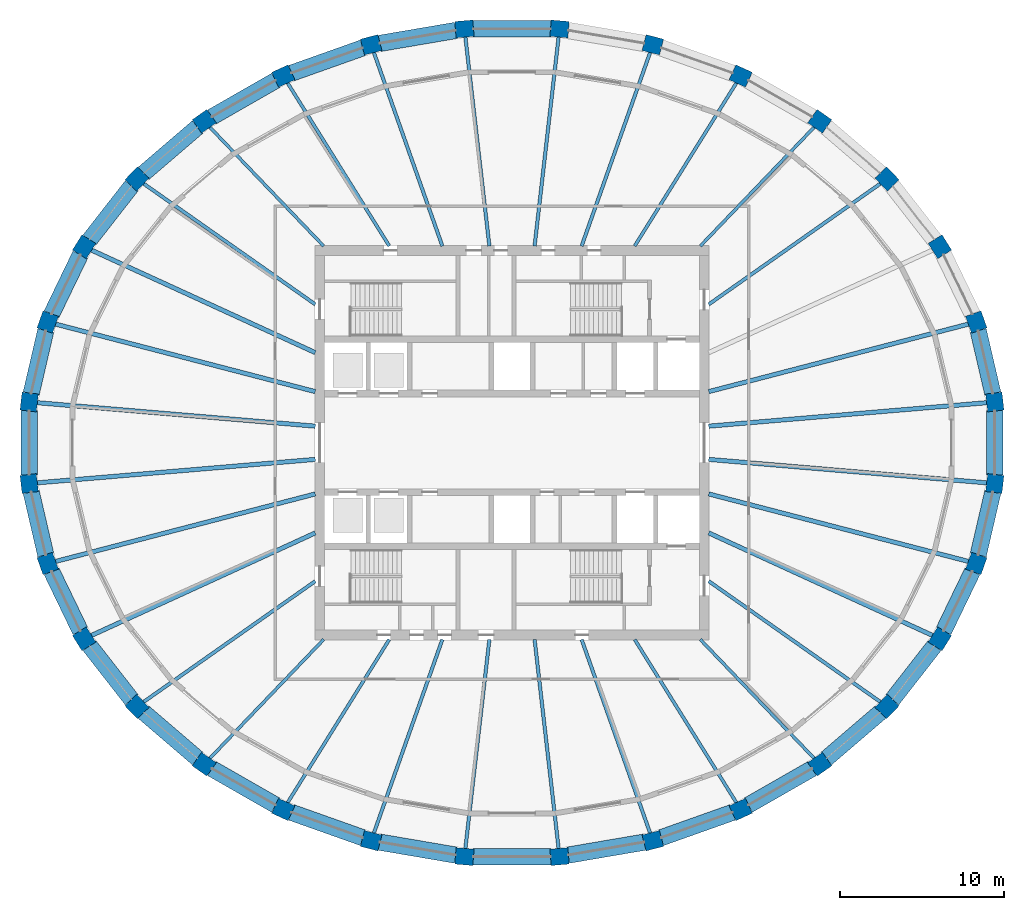
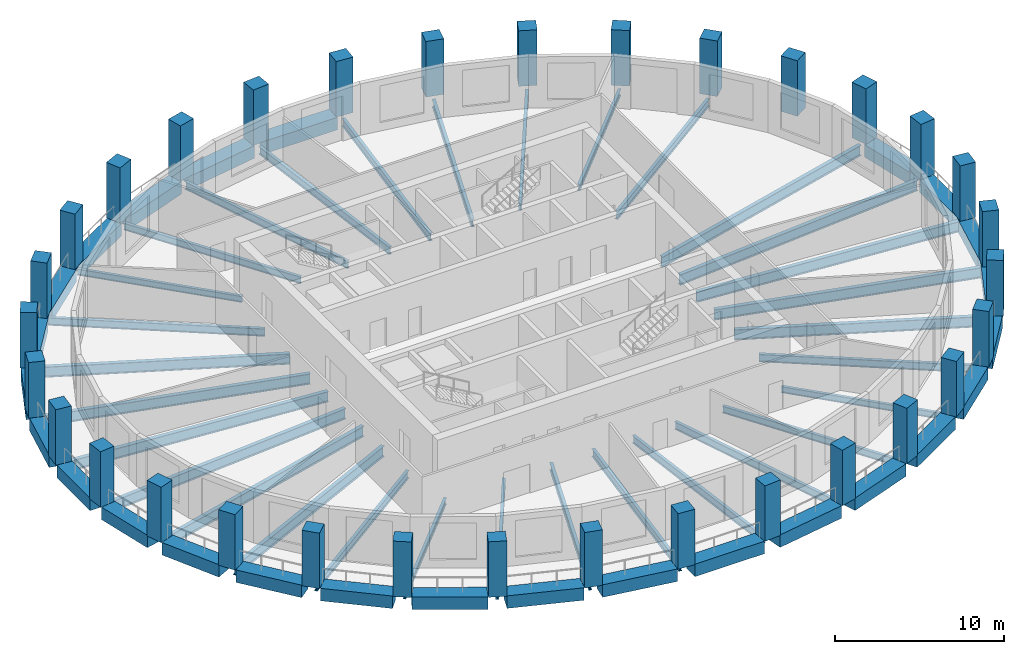
# One storey, part 1 of 10: 57 beams, 32 columns.
"""IFC4 building model written with IfcOpenShell, lengths in metres."""

import ifcopenshell
import ifcopenshell.guid

model = None  # the IFC model being written
_history = None  # IfcOwnerHistory: only IFC2X3 demands one
_inside = {}  # id of a spatial element -> (the spatial element, [elements in it])
_under = {}  # id of a project, library or spatial element -> (it, [spatial elements below it])
_declared = {}  # id of a project -> (the project, [libraries it declares])
_typed = {}  # id of a type object -> (the type object, [elements of that type])
_made_of = {}  # id of a material, layer set ... -> (it, [elements and type objects made of it])


def new_model(schema):
    """Start an empty IFC model of exactly this schema.

    Asked for "IFC4X3", IfcOpenShell would pick the latest addendum, in which some entities
    have other attributes; the version numbers below select the first issue.
    IFC2X3 requires an IfcOwnerHistory on every rooted entity: one is made here for all.
    """
    global model, _history
    if schema == "IFC4X3":
        model = ifcopenshell.file(schema_version=(4, 3, 0, 0))
    else:
        model = ifcopenshell.file(schema=schema)
    _inside.clear()
    _under.clear()
    _declared.clear()
    _typed.clear()
    _made_of.clear()
    _history = None
    if model.schema == "IFC2X3":
        org = make("IfcOrganization", Name="unknown")
        user = make(
            "IfcPersonAndOrganization",
            ThePerson=make("IfcPerson", FamilyName="unknown"),
            TheOrganization=org,
        )
        app = make(
            "IfcApplication",
            ApplicationDeveloper=org,
            Version="unknown",
            ApplicationFullName="unknown",
            ApplicationIdentifier="unknown",
        )
        _history = make(
            "IfcOwnerHistory",
            OwningUser=user,
            OwningApplication=app,
            ChangeAction="ADDED",
            CreationDate=0,
        )
    return model


def make(cls, **values):
    """One entity of the class cls with the attributes given. An attribute that is None is left unset."""
    return model.create_entity(
        cls, **{name: value for name, value in values.items() if value is not None}
    )


def rooted(cls, **values):
    """An entity with a GlobalId (a new one), such as an element, a storey or a relation."""
    return make(cls, GlobalId=ifcopenshell.guid.new(), OwnerHistory=_history, **values)


def si_unit(unit_type, name, prefix=None):
    """IfcSIUnit, for example si_unit("LENGTHUNIT", "METRE", prefix="MILLI")."""
    return make("IfcSIUnit", UnitType=unit_type, Prefix=prefix, Name=name)


def assignment(units):
    """IfcUnitAssignment: the units of a project."""
    return None if units is None else make("IfcUnitAssignment", Units=units)


def point(xyz):
    """IfcCartesianPoint."""
    return None if xyz is None else make("IfcCartesianPoint", Coordinates=xyz)


def direction(xyz):
    """IfcDirection."""
    return None if xyz is None else make("IfcDirection", DirectionRatios=xyz)


def frame(location, z_axis=None, x_axis=None):
    """IfcAxis2Placement3D, a coordinate frame: its origin and axes. An axis left out is left unset."""
    return make(
        "IfcAxis2Placement3D",
        Location=point(location),
        Axis=direction(z_axis),
        RefDirection=direction(x_axis),
    )


def frame_2d(location, x_axis=None):
    """IfcAxis2Placement2D, a coordinate frame in the plane: its origin and x axis."""
    return make(
        "IfcAxis2Placement2D", Location=point(location), RefDirection=direction(x_axis)
    )


def origin():
    """The frame at (0, 0, 0) with its axes left unset."""
    return frame((0.0, 0.0, 0.0))


def origin_2d():
    """The frame at (0, 0) in the plane with its x axis left unset."""
    return frame_2d((0.0, 0.0))


def place(relative_to, where):
    """IfcLocalPlacement: puts the frame where relative to a parent placement (None: the world)."""
    return make(
        "IfcLocalPlacement", PlacementRelTo=relative_to, RelativePlacement=where
    )


def context(
    kind, dimensions, precision=None, world=None, true_north=None, identifier=None
):
    """IfcGeometricRepresentationContext, for example the 3D "Model" context."""
    return make(
        "IfcGeometricRepresentationContext",
        ContextIdentifier=identifier,
        ContextType=kind,
        CoordinateSpaceDimension=dimensions,
        Precision=precision,
        WorldCoordinateSystem=world,
        TrueNorth=true_north,
    )


def subcontext(parent, identifier, kind, view, scale=None):
    """IfcGeometricRepresentationSubContext, for example "Body" below "Model"."""
    return make(
        "IfcGeometricRepresentationSubContext",
        ContextIdentifier=identifier,
        ContextType=kind,
        ParentContext=parent,
        TargetScale=scale,
        TargetView=view,
    )


def project(units=None, contexts=None):
    """IfcProject with its units and contexts."""
    return rooted(
        "IfcProject",
        Name="project",
        RepresentationContexts=contexts,
        UnitsInContext=assignment(units),
    )


def spatial(cls, under=None, at=None, **own):
    """A site, building, storey or space (cls), placed at a placement, below another one or the project."""
    s = rooted(cls, ObjectPlacement=at, **own)
    if under is not None:
        _under.setdefault(under.id(), (under, []))[1].append(s)
    return s


def profile(cls, at=None, kind="AREA", **sizes):
    """A parametric profile (cls). Its sizes go by their IFC names, for example OverallWidth=200.0."""
    return make(cls, ProfileType=kind, Position=at, **sizes)


def rectangle(**sizes):
    """IfcRectangleProfileDef."""
    return profile("IfcRectangleProfileDef", **sizes)


def i_section(**sizes):
    """IfcIShapeProfileDef."""
    return profile("IfcIShapeProfileDef", **sizes)


def extrude(swept, where, along, depth):
    """IfcExtrudedAreaSolid: the profile swept, set in the frame where, extruded along a direction by depth."""
    return make(
        "IfcExtrudedAreaSolid",
        SweptArea=swept,
        Position=where,
        ExtrudedDirection=direction(along),
        Depth=depth,
    )


def shape(context_of_items, identifier, shape_type, items):
    """IfcShapeRepresentation: the items that make up one representation, for example the "Body"."""
    return make(
        "IfcShapeRepresentation",
        ContextOfItems=context_of_items,
        RepresentationIdentifier=identifier,
        RepresentationType=shape_type,
        Items=items,
    )


def material(Name=None, Category=None):
    """IfcMaterial."""
    return make("IfcMaterial", Name=Name, Category=Category)


def material_profile(
    of_material, cross_section, Name=None, Category=None, Priority=None
):
    """IfcMaterialProfile: a cross section and its material."""
    return make(
        "IfcMaterialProfile",
        Name=Name,
        Material=of_material,
        Profile=cross_section,
        Priority=Priority,
        Category=Category,
    )


def profile_set(profiles, Name=None, composite=None):
    """IfcMaterialProfileSet."""
    return make(
        "IfcMaterialProfileSet",
        Name=Name,
        MaterialProfiles=profiles,
        CompositeProfile=composite,
    )


def made_of(thing, what):
    """Note that an element or type object is made of a material, layer set ...; save() writes the relation."""
    if what is not None:
        _made_of.setdefault(what.id(), (what, []))[1].append(thing)
    return thing


def type_object(cls, material=None, **own):
    """A type object (cls), such as IfcWallType, which elements share."""
    return made_of(rooted(cls, **own), material)


def element(
    cls,
    number,
    at=None,
    inside=None,
    cuts=None,
    type_object=None,
    material=None,
    context=None,
    identifier="Body",
    shape_type=None,
    held_by="IfcProductDefinitionShape",
    body=None,
    shapes=None,
    **own,
):
    """One element of the class cls, such as IfcWall. Its Tag is "e" and its number.

    at: its placement. inside: the storey or other place that contains it. cuts: it is an
    opening in that element (IfcRelVoidsElement). A single representation is given by context,
    identifier, shape_type and body (its items); several are given by shapes. held_by: the class
    of the entity that holds the representations. save() writes the other relations.
    """
    e = rooted(cls, Tag="e%d" % number, ObjectPlacement=at, **own)
    if body is not None:
        shapes = [shape(context, identifier, shape_type, body)]
    if shapes is not None:
        e.Representation = make(held_by, Representations=shapes)
    if inside is not None:
        _inside.setdefault(inside.id(), (inside, []))[1].append(e)
    if cuts is not None:
        rooted(
            "IfcRelVoidsElement", RelatingBuildingElement=cuts, RelatedOpeningElement=e
        )
    if type_object is not None:
        _typed.setdefault(type_object.id(), (type_object, []))[1].append(e)
    return made_of(e, material)


def aggregate(whole, parts):
    """IfcRelAggregates: a whole, such as a stair, and the parts it consists of."""
    return rooted("IfcRelAggregates", RelatingObject=whole, RelatedObjects=parts)


def save(model, path):
    """Write the relations noted so far, then the file.

    IfcRelAggregates (storeys below a building ...), IfcRelContainedInSpatialStructure (elements
    in a storey), IfcRelDefinesByType, IfcRelAssociatesMaterial and IfcRelDeclares: one each for
    every whole, place, type object, material and project.
    """
    for whole, parts in _under.values():
        aggregate(whole, parts)
    for where, things in _inside.values():
        rooted(
            "IfcRelContainedInSpatialStructure",
            RelatedElements=things,
            RelatingStructure=where,
        )
    for kind, things in _typed.values():
        rooted("IfcRelDefinesByType", RelatedObjects=things, RelatingType=kind)
    for what, things in _made_of.values():
        rooted("IfcRelAssociatesMaterial", RelatedObjects=things, RelatingMaterial=what)
    for by, libraries in _declared.values():
        rooted("IfcRelDeclares", RelatingContext=by, RelatedDefinitions=libraries)
    model.write(path)


model = new_model("IFC4")

# Units and contexts
model_context = context("Model", 3, precision=1e-05, world=origin(), true_north=direction((0.0, 1.0)))
body_context = subcontext(model_context, "Body", "Model", "MODEL_VIEW")
ifc_project = project(units=[si_unit("LENGTHUNIT", "METRE"), si_unit("AREAUNIT", "SQUARE_METRE"), si_unit("VOLUMEUNIT", "CUBIC_METRE"), si_unit("PLANEANGLEUNIT", "RADIAN"), si_unit("MASSUNIT", "GRAM", prefix="KILO")], contexts=[model_context])

# Site, building, storey
site_placement = place(None, origin())
site = spatial("IfcSite", under=ifc_project, at=site_placement, CompositionType="ELEMENT")
building_placement = place(site_placement, origin())
building = spatial("IfcBuilding", under=site, at=building_placement, Name="Halqa Exchange Tower", CompositionType="ELEMENT")
storey_placement = place(building_placement, frame((0.0, 0.0, 284.300048828125)))
storey = spatial("IfcBuildingStorey", under=building, at=storey_placement, Name="L66", CompositionType="ELEMENT", Elevation=284.300048828125)

# Columns
ifc_material_1 = material(Name="Concrete C60/75", Category="concrete")
ifc_material_profile_1 = material_profile(ifc_material_1, rectangle(XDim=1.10009765625, YDim=1.0, at=origin_2d()), Name="1100 x 1000")
ifc_profile_set_1 = profile_set([ifc_material_profile_1], Name="Concrete C60/75")
column_type = type_object("IfcColumnType", Name="RC ring column 1100 x 1000 C60/75", PredefinedType="COLUMN", material=ifc_profile_set_1)
for number, where, z_axis, x_axis, name in (
    (1, (29.384033203125, 2.480712890625, 0.0), (0.0, 0.0, 1.0), (-0.114155188058, 0.993462929877, 0.0), "Ring column 1"),
    (2, (28.2548828125, 7.3466796875, 0.0), (0.0, 0.0, 1.0), (-0.333619297574, 0.942707889161, 0.0), "Ring column 2"),
    (3, (26.039794921875, 11.930419921875, 0.0), (0.0, 0.0, 1.0), (-0.529143458197, 0.848532380435, 0.0), "Ring column 3"),
    (4, (22.82421875, 16.055419921875, 0.0), (0.0, 0.0, 1.0), (-0.691577351953, 0.722302406382, 0.0), "Ring column 4"),
    (5, (18.731201171875, 19.563720703125, 0.0), (0.0, 0.0, 1.0), (-0.817906779671, 0.575350762377, 0.0), "Ring column 5"),
    (6, (13.918701171875, 22.31982421875, 0.0), (0.0, 0.0, 1.0), (-0.909129276708, 0.416514055265, 0.0), "Ring column 6"),
    (7, (8.571044921875, 24.218505859375, 0.0), (0.0, 0.0, 1.0), (-0.967819942774, 0.251643713153, 0.0), "Ring column 7"),
    (8, (2.89404296875, 25.186279296875, 0.0), (0.0, 0.0, 1.0), (-0.996455518985, 0.084121333105, 0.0), "Ring column 8"),
    (9, (-2.89404296875, 25.186279296875, 0.0), (0.0, 0.0, 1.0), (-0.996455518985, -0.084121333105, 0.0), "Ring column 9"),
    (10, (-8.571044921875, 24.218505859375, 0.0), (0.0, 0.0, 1.0), (-0.967819942774, -0.251643713153, 0.0), "Ring column 10"),
    (11, (-13.918701171875, 22.31982421875, 0.0), (0.0, 0.0, 1.0), (-0.909129276708, -0.416514055265, 0.0), "Ring column 11"),
    (12, (-18.731201171875, 19.563720703125, 0.0), (0.0, 0.0, 1.0), (-0.817906779671, -0.575350762377, 0.0), "Ring column 12"),
    (13, (-22.82421875, 16.055419921875, 0.0), (0.0, 0.0, 1.0), (-0.691577351953, -0.722302406382, 0.0), "Ring column 13"),
    (14, (-26.039794921875, 11.930419921875, 0.0), (0.0, 0.0, 1.0), (-0.529143458197, -0.848532380435, 0.0), "Ring column 14"),
    (15, (-28.2548828125, 7.3466796875, 0.0), (0.0, 0.0, 1.0), (-0.333619297574, -0.942707889161, 0.0), "Ring column 15"),
    (16, (-29.384033203125, 2.480712890625, 0.0), (0.0, 0.0, 1.0), (-0.114155188058, -0.993462929877, 0.0), "Ring column 16"),
    (17, (-29.384033203125, -2.480712890625, 0.0), (0.0, 0.0, 1.0), (0.114155188058, -0.993462929877, 0.0), "Ring column 17"),
    (18, (-28.2548828125, -7.3466796875, 0.0), (0.0, 0.0, 1.0), (0.333619297574, -0.942707889161, 0.0), "Ring column 18"),
    (19, (-26.039794921875, -11.930419921875, 0.0), (0.0, 0.0, 1.0), (0.529143458197, -0.848532380435, 0.0), "Ring column 19"),
    (20, (-22.82421875, -16.055419921875, 0.0), (0.0, 0.0, 1.0), (0.691577351953, -0.722302406382, 0.0), "Ring column 20"),
    (21, (-18.731201171875, -19.563720703125, 0.0), (0.0, 0.0, 1.0), (0.817906779671, -0.575350762377, 0.0), "Ring column 21"),
    (22, (-13.918701171875, -22.31982421875, 0.0), (0.0, 0.0, 1.0), (0.909129276708, -0.416514055265, 0.0), "Ring column 22"),
    (23, (-8.571044921875, -24.218505859375, 0.0), (0.0, 0.0, 1.0), (0.967819942774, -0.251643713153, 0.0), "Ring column 23"),
    (24, (-2.89404296875, -25.186279296875, 0.0), (0.0, 0.0, 1.0), (0.996455518985, -0.084121333105, 0.0), "Ring column 24"),
    (25, (2.89404296875, -25.186279296875, 0.0), (0.0, 0.0, 1.0), (0.996455518985, 0.084121333105, 0.0), "Ring column 25"),
    (26, (8.571044921875, -24.218505859375, 0.0), (0.0, 0.0, 1.0), (0.967819942774, 0.251643713153, 0.0), "Ring column 26"),
    (27, (13.918701171875, -22.31982421875, 0.0), (0.0, 0.0, 1.0), (0.909129276708, 0.416514055265, 0.0), "Ring column 27"),
    (28, (18.731201171875, -19.563720703125, 0.0), (0.0, 0.0, 1.0), (0.817906779671, 0.575350762377, 0.0), "Ring column 28"),
    (29, (22.82421875, -16.055419921875, 0.0), (0.0, 0.0, 1.0), (0.691577351953, 0.722302406382, 0.0), "Ring column 29"),
    (30, (26.039794921875, -11.930419921875, 0.0), (0.0, 0.0, 1.0), (0.529143458197, 0.848532380435, 0.0), "Ring column 30"),
    (31, (28.2548828125, -7.3466796875, 0.0), (0.0, 0.0, 1.0), (0.333619297574, 0.942707889161, 0.0), "Ring column 31"),
    (32, (29.384033203125, -2.480712890625, 0.0), (0.0, 0.0, 1.0), (0.114155188058, 0.993462929877, 0.0), "Ring column 32"),
):
    element("IfcColumn", number, at=place(storey_placement, frame(where, z_axis=z_axis, x_axis=x_axis)), inside=storey, type_object=column_type, Name=name, PredefinedType="COLUMN", context=body_context, shape_type="SweptSolid", body=[
        extrude(rectangle(XDim=1.10009765625, YDim=1.0, at=origin_2d()), origin(), (0.0, 0.0, 1.0), 4.0),
    ])

# Beams
ifc_material_2 = material(Name="Steel S355", Category="steel")
ifc_material_profile_2 = material_profile(ifc_material_2, i_section(OverallWidth=0.18994140625, OverallDepth=0.449951171875, WebThickness=0.009521484375, FlangeThickness=0.0146484375, FilletRadius=0.02099609375, at=origin_2d()), Name="IPE 450")
ifc_profile_set_2 = profile_set([ifc_material_profile_2], Name="Steel S355")
beam_type_1 = type_object("IfcBeamType", Name="Floor beam IPE 450", PredefinedType="BEAM", material=ifc_profile_set_2)
for number, where, z_axis, x_axis, name in (
    (33, (11.462890625, 11.97216796875, -0.525146484375), (0.691569359683, 0.722310058595, 0.0), (-0.722310058595, 0.691569359683, 0.0), "Radial beam 5"),
    (34, (-11.462890625, 11.97216796875, -0.525146484375), (-0.691569359683, 0.722310058595, 0.0), (-0.722310058595, -0.691569359683, 0.0), "Radial beam 12"),
    (35, (-11.462890625, -11.97216796875, -0.525146484375), (-0.691569359683, -0.722310058595, 0.0), (0.722310058595, -0.691569359683, 0.0), "Radial beam 21"),
    (36, (11.462890625, -11.97216796875, -0.525146484375), (0.691569359683, -0.722310058595, 0.0), (0.722310058595, 0.691569359683, 0.0), "Radial beam 28"),
):
    element("IfcBeam", number, at=place(storey_placement, frame(where, z_axis=z_axis, x_axis=x_axis)), inside=storey, type_object=beam_type_1, Name=name, PredefinedType="BEAM", context=body_context, shape_type="SweptSolid", body=[
        extrude(i_section(OverallWidth=0.18994140625, OverallDepth=0.449951171875, WebThickness=0.009521484375, FlangeThickness=0.0146484375, FilletRadius=0.02099609375, at=origin_2d()), origin(), (0.0, 0.0, 1.0), 10.1337890625),
    ])
ifc_material_profile_3 = material_profile(ifc_material_2, i_section(OverallWidth=0.199951171875, OverallDepth=0.5, WebThickness=0.01025390625, FlangeThickness=0.01611328125, FilletRadius=0.02099609375, at=origin_2d()), Name="IPE 500")
ifc_profile_set_3 = profile_set([ifc_material_profile_3], Name="Steel S355")
beam_type_2 = type_object("IfcBeamType", Name="Floor beam IPE 500", PredefinedType="BEAM", material=ifc_profile_set_3)
for number, where, z_axis, x_axis, name in (
    (37, (7.4658203125, 11.97216796875, -0.550048828125), (0.529125964216, 0.848543289404, 0.0), (-0.848543289404, 0.529125964216, 0.0), "Radial beam 6"),
    (38, (-7.4658203125, 11.97216796875, -0.550048828125), (-0.529125964216, 0.848543289404, 0.0), (-0.848543289404, -0.529125964216, 0.0), "Radial beam 11"),
    (39, (-7.4658203125, -11.97216796875, -0.550048828125), (-0.529125964216, -0.848543289404, 0.0), (0.848543289404, -0.529125964216, 0.0), "Radial beam 22"),
    (40, (7.4658203125, -11.97216796875, -0.550048828125), (0.529125964216, -0.848543289404, 0.0), (0.848543289404, 0.529125964216, 0.0), "Radial beam 27"),
):
    element("IfcBeam", number, at=place(storey_placement, frame(where, z_axis=z_axis, x_axis=x_axis)), inside=storey, type_object=beam_type_2, Name=name, PredefinedType="BEAM", context=body_context, shape_type="SweptSolid", body=[
        extrude(i_section(OverallWidth=0.199951171875, OverallDepth=0.5, WebThickness=0.01025390625, FlangeThickness=0.01611328125, FilletRadius=0.02099609375, at=origin_2d()), origin(), (0.0, 0.0, 1.0), 11.81884765625),
    ])
ifc_material_profile_4 = material_profile(ifc_material_2, i_section(OverallWidth=0.2099609375, OverallDepth=0.550048828125, WebThickness=0.010986328125, FlangeThickness=0.01708984375, FilletRadius=0.02392578125, at=origin_2d()), Name="IPE 550")
ifc_profile_set_4 = profile_set([ifc_material_profile_4], Name="Steel S355")
beam_type_3 = type_object("IfcBeamType", Name="Floor beam IPE 550", PredefinedType="BEAM", material=ifc_profile_set_4)
beam_1_placement = place(storey_placement, frame((11.97265625, 8.422119140625, -0.574951171875), z_axis=(0.817909403021, 0.575347033059, 0.0), x_axis=(-0.575347033059, 0.817909403021, 0.0)))
element("IfcBeam", 41, at=beam_1_placement, inside=storey, type_object=beam_type_3, Name="Radial beam 4", PredefinedType="BEAM", context=body_context, shape_type="SweptSolid", body=[
    extrude(i_section(OverallWidth=0.2099609375, OverallDepth=0.550048828125, WebThickness=0.010986328125, FlangeThickness=0.01708984375, FilletRadius=0.02392578125, at=origin_2d()), origin(), (0.0, 0.0, 1.0), 12.891357421875),
])
beam_2_placement = place(storey_placement, frame((4.23681640625, 11.971923828125, -0.574951171875), z_axis=(0.333635796759, 0.942702050025, 0.0), x_axis=(-0.942702050025, 0.333635796759, 0.0)))
element("IfcBeam", 42, at=beam_2_placement, inside=storey, type_object=beam_type_3, Name="Radial beam 7", PredefinedType="BEAM", context=body_context, shape_type="SweptSolid", body=[
    extrude(i_section(OverallWidth=0.2099609375, OverallDepth=0.550048828125, WebThickness=0.010986328125, FlangeThickness=0.01708984375, FilletRadius=0.02392578125, at=origin_2d()), origin(), (0.0, 0.0, 1.0), 12.616943359375),
])
for number, where, z_axis, x_axis, name in (
    (43, (1.37548828125, 11.9716796875, -0.574951171875), (0.114161112219, 0.993462249135, 0.0), (-0.993462249135, 0.114161112219, 0.0), "Radial beam 8"),
    (44, (-1.37548828125, 11.9716796875, -0.574951171875), (-0.114161112219, 0.993462249135, 0.0), (-0.993462249135, -0.114161112219, 0.0), "Radial beam 9"),
):
    element("IfcBeam", number, at=place(storey_placement, frame(where, z_axis=z_axis, x_axis=x_axis)), inside=storey, type_object=beam_type_3, Name=name, PredefinedType="BEAM", context=body_context, shape_type="SweptSolid", body=[
        extrude(i_section(OverallWidth=0.2099609375, OverallDepth=0.550048828125, WebThickness=0.010986328125, FlangeThickness=0.01708984375, FilletRadius=0.02392578125, at=origin_2d()), origin(), (0.0, 0.0, 1.0), 12.9296875),
    ])
beam_3_placement = place(storey_placement, frame((-4.23681640625, 11.971923828125, -0.574951171875), z_axis=(-0.333635796759, 0.942702050025, 0.0), x_axis=(-0.942702050025, -0.333635796759, 0.0)))
element("IfcBeam", 45, at=beam_3_placement, inside=storey, type_object=beam_type_3, Name="Radial beam 10", PredefinedType="BEAM", context=body_context, shape_type="SweptSolid", body=[
    extrude(i_section(OverallWidth=0.2099609375, OverallDepth=0.550048828125, WebThickness=0.010986328125, FlangeThickness=0.01708984375, FilletRadius=0.02392578125, at=origin_2d()), origin(), (0.0, 0.0, 1.0), 12.616943359375),
])
for number, where, z_axis, x_axis, name in (
    (46, (-11.97265625, 8.422119140625, -0.574951171875), (-0.817909403021, 0.575347033059, 0.0), (-0.575347033059, -0.817909403021, 0.0), "Radial beam 13"),
    (47, (-11.97265625, -8.422119140625, -0.574951171875), (-0.817909403021, -0.575347033059, 0.0), (0.575347033059, -0.817909403021, 0.0), "Radial beam 20"),
):
    element("IfcBeam", number, at=place(storey_placement, frame(where, z_axis=z_axis, x_axis=x_axis)), inside=storey, type_object=beam_type_3, Name=name, PredefinedType="BEAM", context=body_context, shape_type="SweptSolid", body=[
        extrude(i_section(OverallWidth=0.2099609375, OverallDepth=0.550048828125, WebThickness=0.010986328125, FlangeThickness=0.01708984375, FilletRadius=0.02392578125, at=origin_2d()), origin(), (0.0, 0.0, 1.0), 12.891357421875),
    ])
beam_4_placement = place(storey_placement, frame((-4.23681640625, -11.971923828125, -0.574951171875), z_axis=(-0.333635796759, -0.942702050025, 0.0), x_axis=(0.942702050025, -0.333635796759, 0.0)))
element("IfcBeam", 48, at=beam_4_placement, inside=storey, type_object=beam_type_3, Name="Radial beam 23", PredefinedType="BEAM", context=body_context, shape_type="SweptSolid", body=[
    extrude(i_section(OverallWidth=0.2099609375, OverallDepth=0.550048828125, WebThickness=0.010986328125, FlangeThickness=0.01708984375, FilletRadius=0.02392578125, at=origin_2d()), origin(), (0.0, 0.0, 1.0), 12.616943359375),
])
for number, where, z_axis, x_axis, name in (
    (49, (-1.37548828125, -11.9716796875, -0.574951171875), (-0.114161112219, -0.993462249135, 0.0), (0.993462249135, -0.114161112219, 0.0), "Radial beam 24"),
    (50, (1.37548828125, -11.9716796875, -0.574951171875), (0.114161112219, -0.993462249135, 0.0), (0.993462249135, 0.114161112219, 0.0), "Radial beam 25"),
):
    element("IfcBeam", number, at=place(storey_placement, frame(where, z_axis=z_axis, x_axis=x_axis)), inside=storey, type_object=beam_type_3, Name=name, PredefinedType="BEAM", context=body_context, shape_type="SweptSolid", body=[
        extrude(i_section(OverallWidth=0.2099609375, OverallDepth=0.550048828125, WebThickness=0.010986328125, FlangeThickness=0.01708984375, FilletRadius=0.02392578125, at=origin_2d()), origin(), (0.0, 0.0, 1.0), 12.9296875),
    ])
beam_5_placement = place(storey_placement, frame((4.23681640625, -11.971923828125, -0.574951171875), z_axis=(0.333635796759, -0.942702050025, 0.0), x_axis=(0.942702050025, 0.333635796759, 0.0)))
element("IfcBeam", 51, at=beam_5_placement, inside=storey, type_object=beam_type_3, Name="Radial beam 26", PredefinedType="BEAM", context=body_context, shape_type="SweptSolid", body=[
    extrude(i_section(OverallWidth=0.2099609375, OverallDepth=0.550048828125, WebThickness=0.010986328125, FlangeThickness=0.01708984375, FilletRadius=0.02392578125, at=origin_2d()), origin(), (0.0, 0.0, 1.0), 12.616943359375),
])
beam_6_placement = place(storey_placement, frame((11.97265625, -8.422119140625, -0.574951171875), z_axis=(0.817909403021, -0.575347033059, 0.0), x_axis=(0.575347033059, 0.817909403021, 0.0)))
element("IfcBeam", 52, at=beam_6_placement, inside=storey, type_object=beam_type_3, Name="Radial beam 29", PredefinedType="BEAM", context=body_context, shape_type="SweptSolid", body=[
    extrude(i_section(OverallWidth=0.2099609375, OverallDepth=0.550048828125, WebThickness=0.010986328125, FlangeThickness=0.01708984375, FilletRadius=0.02392578125, at=origin_2d()), origin(), (0.0, 0.0, 1.0), 12.891357421875),
])
ifc_material_profile_5 = material_profile(ifc_material_2, i_section(OverallWidth=0.264892578125, OverallDepth=0.7529296875, WebThickness=0.01318359375, FlangeThickness=0.01708984375, FilletRadius=0.01708984375, at=origin_2d()), Name="IPE 750x147")
ifc_profile_set_5 = profile_set([ifc_material_profile_5], Name="Steel S355")
beam_type_4 = type_object("IfcBeamType", Name="Floor beam IPE 750x147", PredefinedType="BEAM", material=ifc_profile_set_5)
beam_7_placement = place(storey_placement, frame((11.972900390625, 1.0107421875, -0.676513671875), z_axis=(0.9964559812, 0.084115857779, 0.0), x_axis=(-0.084115857779, 0.9964559812, 0.0)))
element("IfcBeam", 53, at=beam_7_placement, inside=storey, type_object=beam_type_4, Name="Radial beam 1", PredefinedType="BEAM", context=body_context, shape_type="SweptSolid", body=[
    extrude(i_section(OverallWidth=0.264892578125, OverallDepth=0.7529296875, WebThickness=0.01318359375, FlangeThickness=0.01708984375, FilletRadius=0.01708984375, at=origin_2d()), origin(), (0.0, 0.0, 1.0), 17.10107421875),
])
beam_8_placement = place(storey_placement, frame((11.97265625, 3.113037109375, -0.676513671875), z_axis=(0.967820121155, 0.2516430271, 0.0), x_axis=(-0.2516430271, 0.967820121155, 0.0)))
element("IfcBeam", 54, at=beam_8_placement, inside=storey, type_object=beam_type_4, Name="Radial beam 2", PredefinedType="BEAM", context=body_context, shape_type="SweptSolid", body=[
    extrude(i_section(OverallWidth=0.264892578125, OverallDepth=0.7529296875, WebThickness=0.01318359375, FlangeThickness=0.01708984375, FilletRadius=0.01708984375, at=origin_2d()), origin(), (0.0, 0.0, 1.0), 16.449462890625),
])
beam_9_placement = place(storey_placement, frame((-11.972412109375, 5.4853515625, -0.676513671875), z_axis=(-0.909129124533, 0.416514387417, 0.0), x_axis=(-0.416514387417, -0.909129124533, 0.0)))
element("IfcBeam", 55, at=beam_9_placement, inside=storey, type_object=beam_type_4, Name="Radial beam 14", PredefinedType="BEAM", context=body_context, shape_type="SweptSolid", body=[
    extrude(i_section(OverallWidth=0.264892578125, OverallDepth=0.7529296875, WebThickness=0.01318359375, FlangeThickness=0.01708984375, FilletRadius=0.01708984375, at=origin_2d()), origin(), (0.0, 0.0, 1.0), 15.097412109375),
])
beam_10_placement = place(storey_placement, frame((-11.97265625, 3.113037109375, -0.676513671875), z_axis=(-0.967820121155, 0.2516430271, 0.0), x_axis=(-0.2516430271, -0.967820121155, 0.0)))
element("IfcBeam", 56, at=beam_10_placement, inside=storey, type_object=beam_type_4, Name="Radial beam 15", PredefinedType="BEAM", context=body_context, shape_type="SweptSolid", body=[
    extrude(i_section(OverallWidth=0.264892578125, OverallDepth=0.7529296875, WebThickness=0.01318359375, FlangeThickness=0.01708984375, FilletRadius=0.01708984375, at=origin_2d()), origin(), (0.0, 0.0, 1.0), 16.449462890625),
])
for number, where, z_axis, x_axis, name in (
    (57, (-11.972900390625, 1.0107421875, -0.676513671875), (-0.9964559812, 0.084115857779, 0.0), (-0.084115857779, -0.9964559812, 0.0), "Radial beam 16"),
    (58, (-11.972900390625, -1.0107421875, -0.676513671875), (-0.9964559812, -0.084115857779, 0.0), (0.084115857779, -0.9964559812, 0.0), "Radial beam 17"),
):
    element("IfcBeam", number, at=place(storey_placement, frame(where, z_axis=z_axis, x_axis=x_axis)), inside=storey, type_object=beam_type_4, Name=name, PredefinedType="BEAM", context=body_context, shape_type="SweptSolid", body=[
        extrude(i_section(OverallWidth=0.264892578125, OverallDepth=0.7529296875, WebThickness=0.01318359375, FlangeThickness=0.01708984375, FilletRadius=0.01708984375, at=origin_2d()), origin(), (0.0, 0.0, 1.0), 17.10107421875),
    ])
beam_11_placement = place(storey_placement, frame((-11.97265625, -3.113037109375, -0.676513671875), z_axis=(-0.967820121155, -0.2516430271, 0.0), x_axis=(0.2516430271, -0.967820121155, 0.0)))
element("IfcBeam", 59, at=beam_11_placement, inside=storey, type_object=beam_type_4, Name="Radial beam 18", PredefinedType="BEAM", context=body_context, shape_type="SweptSolid", body=[
    extrude(i_section(OverallWidth=0.264892578125, OverallDepth=0.7529296875, WebThickness=0.01318359375, FlangeThickness=0.01708984375, FilletRadius=0.01708984375, at=origin_2d()), origin(), (0.0, 0.0, 1.0), 16.449462890625),
])
for number, where, z_axis, x_axis, name in (
    (60, (-11.972412109375, -5.4853515625, -0.676513671875), (-0.909129124533, -0.416514387417, 0.0), (0.416514387417, -0.909129124533, 0.0), "Radial beam 19"),
    (61, (11.972412109375, -5.4853515625, -0.676513671875), (0.909129124533, -0.416514387417, 0.0), (0.416514387417, 0.909129124533, 0.0), "Radial beam 30"),
):
    element("IfcBeam", number, at=place(storey_placement, frame(where, z_axis=z_axis, x_axis=x_axis)), inside=storey, type_object=beam_type_4, Name=name, PredefinedType="BEAM", context=body_context, shape_type="SweptSolid", body=[
        extrude(i_section(OverallWidth=0.264892578125, OverallDepth=0.7529296875, WebThickness=0.01318359375, FlangeThickness=0.01708984375, FilletRadius=0.01708984375, at=origin_2d()), origin(), (0.0, 0.0, 1.0), 15.097412109375),
    ])
beam_12_placement = place(storey_placement, frame((11.97265625, -3.113037109375, -0.676513671875), z_axis=(0.967820121155, -0.2516430271, 0.0), x_axis=(0.2516430271, 0.967820121155, 0.0)))
element("IfcBeam", 62, at=beam_12_placement, inside=storey, type_object=beam_type_4, Name="Radial beam 31", PredefinedType="BEAM", context=body_context, shape_type="SweptSolid", body=[
    extrude(i_section(OverallWidth=0.264892578125, OverallDepth=0.7529296875, WebThickness=0.01318359375, FlangeThickness=0.01708984375, FilletRadius=0.01708984375, at=origin_2d()), origin(), (0.0, 0.0, 1.0), 16.449462890625),
])
beam_13_placement = place(storey_placement, frame((11.972900390625, -1.0107421875, -0.676513671875), z_axis=(0.9964559812, -0.084115857779, 0.0), x_axis=(0.084115857779, 0.9964559812, 0.0)))
element("IfcBeam", 63, at=beam_13_placement, inside=storey, type_object=beam_type_4, Name="Radial beam 32", PredefinedType="BEAM", context=body_context, shape_type="SweptSolid", body=[
    extrude(i_section(OverallWidth=0.264892578125, OverallDepth=0.7529296875, WebThickness=0.01318359375, FlangeThickness=0.01708984375, FilletRadius=0.01708984375, at=origin_2d()), origin(), (0.0, 0.0, 1.0), 17.10107421875),
])
ifc_material_profile_6 = material_profile(ifc_material_1, rectangle(XDim=1.0, YDim=0.89990234375, at=origin_2d()), Name="1000 x 900")
ifc_profile_set_6 = profile_set([ifc_material_profile_6], Name="Concrete C60/75")
beam_type_5 = type_object("IfcBeamType", Name="RC spandrel beam 1000 x 900 C60/75", PredefinedType="SPANDREL", material=ifc_profile_set_6)
beam_14_placement = place(storey_placement, frame((29.265380859375, 2.99169921875, -0.449951171875), z_axis=(-0.226030079341, 0.97412032277, 0.0), x_axis=(-0.97412032277, -0.226030079341, 0.0)))
element("IfcBeam", 64, at=beam_14_placement, inside=storey, type_object=beam_type_5, Name="Spandrel 1", PredefinedType="SPANDREL", context=body_context, shape_type="SweptSolid", body=[
    extrude(rectangle(XDim=1.0, YDim=0.89990234375, at=origin_2d()), origin(), (0.0, 0.0, 1.0), 3.944580078125),
])
beam_15_placement = place(storey_placement, frame((2.370361328125, 25.186279296875, -0.449951171875), z_axis=(-1.0, 0.0, 0.0), x_axis=(0.0, -1.0, 0.0)))
element("IfcBeam", 65, at=beam_15_placement, inside=storey, type_object=beam_type_5, Name="Spandrel 8", PredefinedType="SPANDREL", context=body_context, shape_type="SweptSolid", body=[
    extrude(rectangle(XDim=1.0, YDim=0.89990234375, at=origin_2d()), origin(), (0.0, 0.0, 1.0), 4.74072265625),
])
beam_16_placement = place(storey_placement, frame((-3.410400390625, 25.098388671875, -0.449951171875), z_axis=(-0.985774984222, -0.168070462848, 0.0), x_axis=(0.168070462848, -0.985774984222, 0.0)))
element("IfcBeam", 66, at=beam_16_placement, inside=storey, type_object=beam_type_5, Name="Spandrel 9", PredefinedType="SPANDREL", context=body_context, shape_type="SweptSolid", body=[
    extrude(rectangle(XDim=1.0, YDim=0.89990234375, at=origin_2d()), origin(), (0.0, 0.0, 1.0), 4.710693359375),
])
beam_17_placement = place(storey_placement, frame((-9.065673828125, 24.04296875, -0.449951171875), z_axis=(-0.942367104473, -0.334580693418, 0.0), x_axis=(0.334580693418, -0.942367104473, 0.0)))
element("IfcBeam", 67, at=beam_17_placement, inside=storey, type_object=beam_type_5, Name="Spandrel 10", PredefinedType="SPANDREL", context=body_context, shape_type="SweptSolid", body=[
    extrude(rectangle(XDim=1.0, YDim=0.89990234375, at=origin_2d()), origin(), (0.0, 0.0, 1.0), 4.626220703125),
])
beam_18_placement = place(storey_placement, frame((-14.373779296875, 22.05908203125, -0.449951171875), z_axis=(-0.867761736786, -0.496980450492, 0.0), x_axis=(0.496980450492, -0.867761736786, 0.0)))
element("IfcBeam", 68, at=beam_18_placement, inside=storey, type_object=beam_type_5, Name="Spandrel 11", PredefinedType="SPANDREL", context=body_context, shape_type="SweptSolid", body=[
    extrude(rectangle(XDim=1.0, YDim=0.89990234375, at=origin_2d()), origin(), (0.0, 0.0, 1.0), 4.497802734375),
])
beam_19_placement = place(storey_placement, frame((-19.129638671875, 19.22216796875, -0.449951171875), z_axis=(-0.759256602365, -0.650791373456, 0.0), x_axis=(0.650791373456, -0.759256602365, 0.0)))
element("IfcBeam", 69, at=beam_19_placement, inside=storey, type_object=beam_type_5, Name="Spandrel 12", PredefinedType="SPANDREL", context=body_context, shape_type="SweptSolid", body=[
    extrude(rectangle(XDim=1.0, YDim=0.89990234375, at=origin_2d()), origin(), (0.0, 0.0, 1.0), 4.342041015625),
])
beam_20_placement = place(storey_placement, frame((-23.147216796875, 15.64111328125, -0.449951171875), z_axis=(-0.614781231149, -0.788697684684, 0.0), x_axis=(0.788697684684, -0.614781231149, 0.0)))
element("IfcBeam", 70, at=beam_20_placement, inside=storey, type_object=beam_type_5, Name="Spandrel 13", PredefinedType="SPANDREL", context=body_context, shape_type="SweptSolid", body=[
    extrude(rectangle(XDim=1.0, YDim=0.89990234375, at=origin_2d()), origin(), (0.0, 0.0, 1.0), 4.180419921875),
])
beam_21_placement = place(storey_placement, frame((-26.268798828125, 11.456787109375, -0.449951171875), z_axis=(-0.435061697702, -0.90040064371, 0.0), x_axis=(0.90040064371, -0.435061697702, 0.0)))
element("IfcBeam", 71, at=beam_21_placement, inside=storey, type_object=beam_type_5, Name="Spandrel 14", PredefinedType="SPANDREL", context=body_context, shape_type="SweptSolid", body=[
    extrude(rectangle(XDim=1.0, YDim=0.89990234375, at=origin_2d()), origin(), (0.0, 0.0, 1.0), 4.039794921875),
])
beam_22_placement = place(storey_placement, frame((-28.373779296875, 6.834228515625, -0.449951171875), z_axis=(-0.226030079341, -0.97412032277, 0.0), x_axis=(0.97412032277, -0.226030079341, 0.0)))
element("IfcBeam", 72, at=beam_22_placement, inside=storey, type_object=beam_type_5, Name="Spandrel 15", PredefinedType="SPANDREL", context=body_context, shape_type="SweptSolid", body=[
    extrude(rectangle(XDim=1.0, YDim=0.89990234375, at=origin_2d()), origin(), (0.0, 0.0, 1.0), 3.944580078125),
])
beam_23_placement = place(storey_placement, frame((-29.384033203125, 1.95556640625, -0.449951171875), z_axis=(0.0, -1.0, 0.0), x_axis=(1.0, 0.0, 0.0)))
element("IfcBeam", 73, at=beam_23_placement, inside=storey, type_object=beam_type_5, Name="Spandrel 16", PredefinedType="SPANDREL", context=body_context, shape_type="SweptSolid", body=[
    extrude(rectangle(XDim=1.0, YDim=0.89990234375, at=origin_2d()), origin(), (0.0, 0.0, 1.0), 3.9111328125),
])
beam_24_placement = place(storey_placement, frame((-29.265380859375, -2.99169921875, -0.449951171875), z_axis=(0.226030079341, -0.97412032277, 0.0), x_axis=(0.97412032277, 0.226030079341, 0.0)))
element("IfcBeam", 74, at=beam_24_placement, inside=storey, type_object=beam_type_5, Name="Spandrel 17", PredefinedType="SPANDREL", context=body_context, shape_type="SweptSolid", body=[
    extrude(rectangle(XDim=1.0, YDim=0.89990234375, at=origin_2d()), origin(), (0.0, 0.0, 1.0), 3.944580078125),
])
beam_25_placement = place(storey_placement, frame((-28.0263671875, -7.8193359375, -0.449951171875), z_axis=(0.435061697702, -0.90040064371, 0.0), x_axis=(0.90040064371, 0.435061697702, 0.0)))
element("IfcBeam", 75, at=beam_25_placement, inside=storey, type_object=beam_type_5, Name="Spandrel 18", PredefinedType="SPANDREL", context=body_context, shape_type="SweptSolid", body=[
    extrude(rectangle(XDim=1.0, YDim=0.89990234375, at=origin_2d()), origin(), (0.0, 0.0, 1.0), 4.039794921875),
])
beam_26_placement = place(storey_placement, frame((-25.71728515625, -12.343994140625, -0.449951171875), z_axis=(0.614781231149, -0.788697684684, 0.0), x_axis=(0.788697684684, 0.614781231149, 0.0)))
element("IfcBeam", 76, at=beam_26_placement, inside=storey, type_object=beam_type_5, Name="Spandrel 19", PredefinedType="SPANDREL", context=body_context, shape_type="SweptSolid", body=[
    extrude(rectangle(XDim=1.0, YDim=0.89990234375, at=origin_2d()), origin(), (0.0, 0.0, 1.0), 4.180419921875),
])
beam_27_placement = place(storey_placement, frame((-22.42626953125, -16.396484375, -0.449951171875), z_axis=(0.759256602365, -0.650791373456, 0.0), x_axis=(0.650791373456, 0.759256602365, 0.0)))
element("IfcBeam", 77, at=beam_27_placement, inside=storey, type_object=beam_type_5, Name="Spandrel 20", PredefinedType="SPANDREL", context=body_context, shape_type="SweptSolid", body=[
    extrude(rectangle(XDim=1.0, YDim=0.89990234375, at=origin_2d()), origin(), (0.0, 0.0, 1.0), 4.342041015625),
])
beam_28_placement = place(storey_placement, frame((-18.27685546875, -19.82373046875, -0.449951171875), z_axis=(0.867761736786, -0.496980450492, 0.0), x_axis=(0.496980450492, 0.867761736786, 0.0)))
element("IfcBeam", 78, at=beam_28_placement, inside=storey, type_object=beam_type_5, Name="Spandrel 21", PredefinedType="SPANDREL", context=body_context, shape_type="SweptSolid", body=[
    extrude(rectangle(XDim=1.0, YDim=0.89990234375, at=origin_2d()), origin(), (0.0, 0.0, 1.0), 4.497802734375),
])
beam_29_placement = place(storey_placement, frame((-13.42529296875, -22.4951171875, -0.449951171875), z_axis=(0.942367104473, -0.334580693418, 0.0), x_axis=(0.334580693418, 0.942367104473, 0.0)))
element("IfcBeam", 79, at=beam_29_placement, inside=storey, type_object=beam_type_5, Name="Spandrel 22", PredefinedType="SPANDREL", context=body_context, shape_type="SweptSolid", body=[
    extrude(rectangle(XDim=1.0, YDim=0.89990234375, at=origin_2d()), origin(), (0.0, 0.0, 1.0), 4.626220703125),
])
beam_30_placement = place(storey_placement, frame((-8.05419921875, -24.306640625, -0.449951171875), z_axis=(0.985774984222, -0.168070462848, 0.0), x_axis=(0.168070462848, 0.985774984222, 0.0)))
element("IfcBeam", 80, at=beam_30_placement, inside=storey, type_object=beam_type_5, Name="Spandrel 23", PredefinedType="SPANDREL", context=body_context, shape_type="SweptSolid", body=[
    extrude(rectangle(XDim=1.0, YDim=0.89990234375, at=origin_2d()), origin(), (0.0, 0.0, 1.0), 4.710693359375),
])
beam_31_placement = place(storey_placement, frame((-2.370361328125, -25.186279296875, -0.449951171875), z_axis=(1.0, 0.0, 0.0), x_axis=(0.0, 1.0, 0.0)))
element("IfcBeam", 81, at=beam_31_placement, inside=storey, type_object=beam_type_5, Name="Spandrel 24", PredefinedType="SPANDREL", context=body_context, shape_type="SweptSolid", body=[
    extrude(rectangle(XDim=1.0, YDim=0.89990234375, at=origin_2d()), origin(), (0.0, 0.0, 1.0), 4.74072265625),
])
beam_32_placement = place(storey_placement, frame((3.410400390625, -25.098388671875, -0.449951171875), z_axis=(0.985774984222, 0.168070462848, 0.0), x_axis=(-0.168070462848, 0.985774984222, 0.0)))
element("IfcBeam", 82, at=beam_32_placement, inside=storey, type_object=beam_type_5, Name="Spandrel 25", PredefinedType="SPANDREL", context=body_context, shape_type="SweptSolid", body=[
    extrude(rectangle(XDim=1.0, YDim=0.89990234375, at=origin_2d()), origin(), (0.0, 0.0, 1.0), 4.710693359375),
])
beam_33_placement = place(storey_placement, frame((9.065673828125, -24.04296875, -0.449951171875), z_axis=(0.942367104473, 0.334580693418, 0.0), x_axis=(-0.334580693418, 0.942367104473, 0.0)))
element("IfcBeam", 83, at=beam_33_placement, inside=storey, type_object=beam_type_5, Name="Spandrel 26", PredefinedType="SPANDREL", context=body_context, shape_type="SweptSolid", body=[
    extrude(rectangle(XDim=1.0, YDim=0.89990234375, at=origin_2d()), origin(), (0.0, 0.0, 1.0), 4.626220703125),
])
beam_34_placement = place(storey_placement, frame((14.373779296875, -22.05908203125, -0.449951171875), z_axis=(0.867761736786, 0.496980450492, 0.0), x_axis=(-0.496980450492, 0.867761736786, 0.0)))
element("IfcBeam", 84, at=beam_34_placement, inside=storey, type_object=beam_type_5, Name="Spandrel 27", PredefinedType="SPANDREL", context=body_context, shape_type="SweptSolid", body=[
    extrude(rectangle(XDim=1.0, YDim=0.89990234375, at=origin_2d()), origin(), (0.0, 0.0, 1.0), 4.497802734375),
])
beam_35_placement = place(storey_placement, frame((19.129638671875, -19.22216796875, -0.449951171875), z_axis=(0.759256602365, 0.650791373456, 0.0), x_axis=(-0.650791373456, 0.759256602365, 0.0)))
element("IfcBeam", 85, at=beam_35_placement, inside=storey, type_object=beam_type_5, Name="Spandrel 28", PredefinedType="SPANDREL", context=body_context, shape_type="SweptSolid", body=[
    extrude(rectangle(XDim=1.0, YDim=0.89990234375, at=origin_2d()), origin(), (0.0, 0.0, 1.0), 4.342041015625),
])
beam_36_placement = place(storey_placement, frame((23.147216796875, -15.64111328125, -0.449951171875), z_axis=(0.614781231149, 0.788697684684, 0.0), x_axis=(-0.788697684684, 0.614781231149, 0.0)))
element("IfcBeam", 86, at=beam_36_placement, inside=storey, type_object=beam_type_5, Name="Spandrel 29", PredefinedType="SPANDREL", context=body_context, shape_type="SweptSolid", body=[
    extrude(rectangle(XDim=1.0, YDim=0.89990234375, at=origin_2d()), origin(), (0.0, 0.0, 1.0), 4.180419921875),
])
beam_37_placement = place(storey_placement, frame((26.268798828125, -11.456787109375, -0.449951171875), z_axis=(0.435061697702, 0.90040064371, 0.0), x_axis=(-0.90040064371, 0.435061697702, 0.0)))
element("IfcBeam", 87, at=beam_37_placement, inside=storey, type_object=beam_type_5, Name="Spandrel 30", PredefinedType="SPANDREL", context=body_context, shape_type="SweptSolid", body=[
    extrude(rectangle(XDim=1.0, YDim=0.89990234375, at=origin_2d()), origin(), (0.0, 0.0, 1.0), 4.039794921875),
])
beam_38_placement = place(storey_placement, frame((28.373779296875, -6.834228515625, -0.449951171875), z_axis=(0.226030079341, 0.97412032277, 0.0), x_axis=(-0.97412032277, 0.226030079341, 0.0)))
element("IfcBeam", 88, at=beam_38_placement, inside=storey, type_object=beam_type_5, Name="Spandrel 31", PredefinedType="SPANDREL", context=body_context, shape_type="SweptSolid", body=[
    extrude(rectangle(XDim=1.0, YDim=0.89990234375, at=origin_2d()), origin(), (0.0, 0.0, 1.0), 3.944580078125),
])
beam_39_placement = place(storey_placement, frame((29.384033203125, -1.95556640625, -0.449951171875), z_axis=(0.0, 1.0, 0.0), x_axis=(-1.0, 0.0, 0.0)))
element("IfcBeam", 89, at=beam_39_placement, inside=storey, type_object=beam_type_5, Name="Spandrel 32", PredefinedType="SPANDREL", context=body_context, shape_type="SweptSolid", body=[
    extrude(rectangle(XDim=1.0, YDim=0.89990234375, at=origin_2d()), origin(), (0.0, 0.0, 1.0), 3.9111328125),
])

save(model, "model.ifc")
